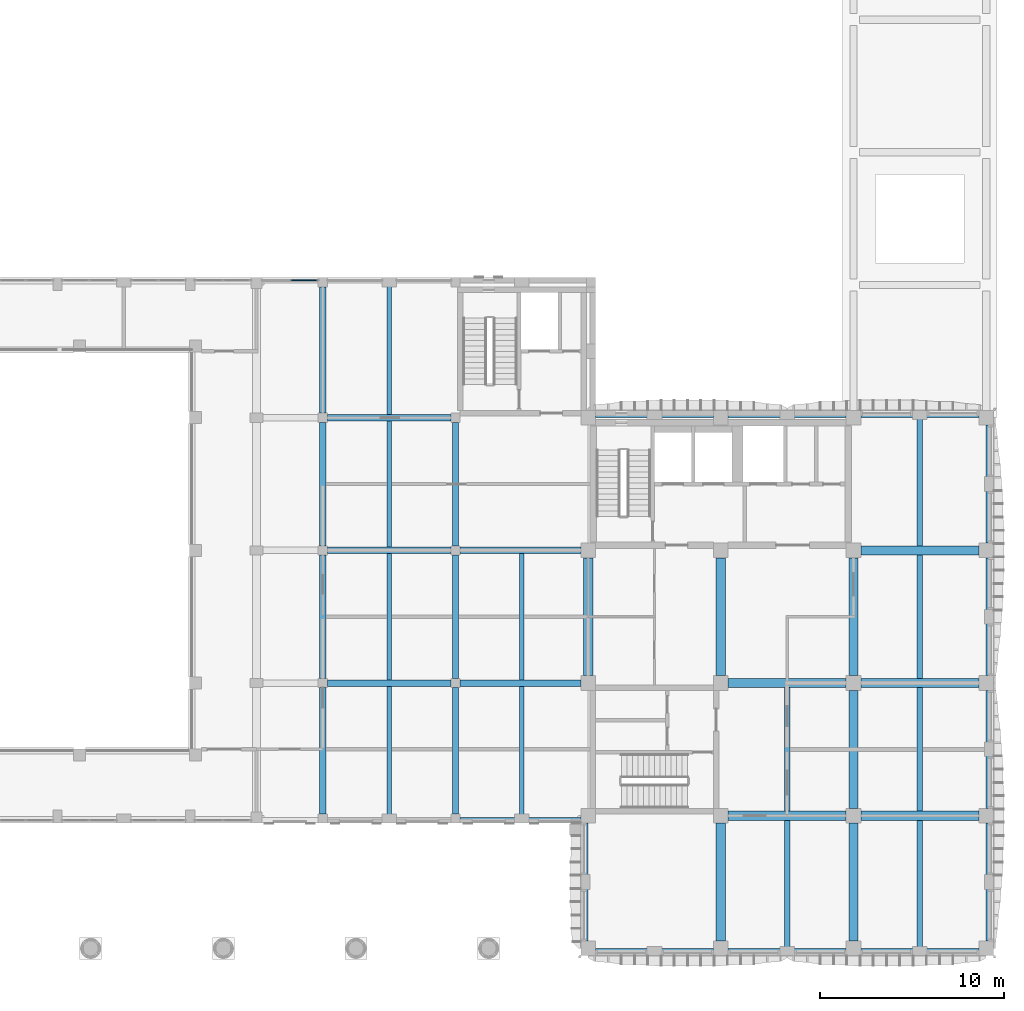
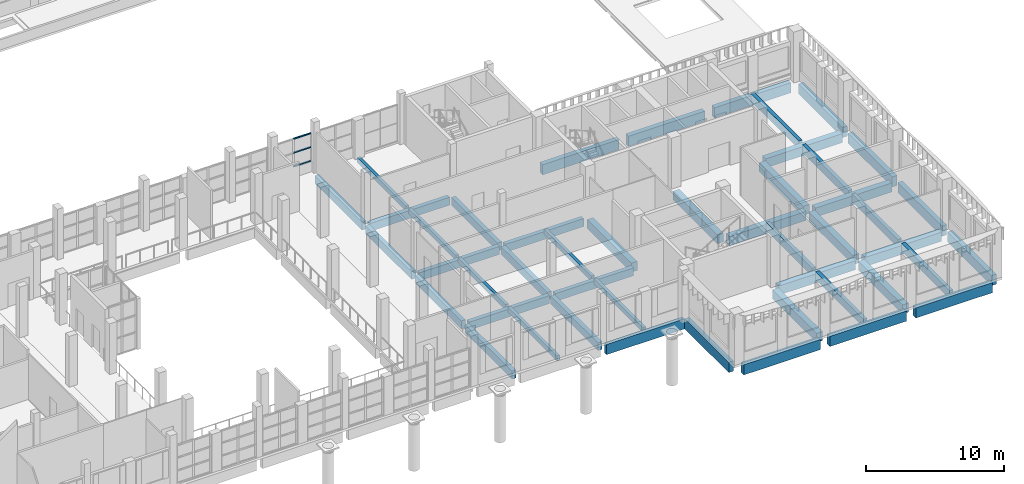
# One storey, part 10 of 59: 47 beams, 3 members, 1 element without a shape of its own.
"""IFC4 building model written with IfcOpenShell, lengths in metres."""

from ifc_helpers import new_model, si_unit, direction, frame, origin, origin_2d, place, context, subcontext, project, spatial, rectangle, extrude, material, layer, layer_set, material_profile, profile_set, type_object, element, aggregate, save


model = new_model("IFC4")

# Units and contexts
model_context = context("Model", 3, precision=1e-05, world=origin(), true_north=direction((0.0, 1.0)))
body_context = subcontext(model_context, "Body", "Model", "MODEL_VIEW")
ifc_project = project(units=[si_unit("LENGTHUNIT", "METRE"), si_unit("AREAUNIT", "SQUARE_METRE"), si_unit("VOLUMEUNIT", "CUBIC_METRE"), si_unit("PLANEANGLEUNIT", "RADIAN"), si_unit("MASSUNIT", "GRAM", prefix="KILO")], contexts=[model_context])

# Site, building, storey
site_placement = place(None, origin())
site = spatial("IfcSite", under=ifc_project, at=site_placement, CompositionType="ELEMENT")
building_placement = place(site_placement, origin())
building = spatial("IfcBuilding", under=site, at=building_placement, Name="Ussher Court Research Institute", CompositionType="ELEMENT")
storey_placement = place(building_placement, frame((0.0, 0.0, 5.39990234375)))
storey = spatial("IfcBuildingStorey", under=building, at=storey_placement, Name="L01", CompositionType="ELEMENT", Elevation=5.39990234375)

# Beams
ifc_material_1 = material(Name="Concrete C35/45", Category="concrete")
ifc_material_profile_1 = material_profile(ifc_material_1, rectangle(XDim=0.25, YDim=0.449951171875, at=origin_2d()), Name="RC 250x450")
ifc_profile_set_1 = profile_set([ifc_material_profile_1], Name="Concrete C35/45")
beam_type_1 = type_object("IfcBeamType", Name="RC 250x450 beam", PredefinedType="BEAM", material=ifc_profile_set_1)
beam_1_placement = place(storey_placement, frame((71.39990234375, 11.10009765625, -0.224853515625), z_axis=(0.0, 1.0, 0.0), x_axis=(-1.0, 0.0, 0.0)))
element("IfcBeam", 1, at=beam_1_placement, inside=storey, type_object=beam_type_1, Name="B1 V7 L01-03", PredefinedType="BEAM", context=body_context, shape_type="SweptSolid", body=[
    extrude(rectangle(XDim=0.25, YDim=0.449951171875, at=origin_2d()), origin(), (0.0, 0.0, 1.0), 7.125),
])
for number, where, z_axis, x_axis, name in (
    (2, (71.39990234375, 18.574951171875, -0.224853515625), (0.0, 1.0, 0.0), (-1.0, 0.0, 0.0), "B1 V7 L01-04"),
    (3, (71.39990234375, 25.77490234375, -0.224853515625), (0.0, 1.0, 0.0), (-1.0, 0.0, 0.0), "B1 V7 L01-05"),
):
    element("IfcBeam", number, at=place(storey_placement, frame(where, z_axis=z_axis, x_axis=x_axis)), inside=storey, type_object=beam_type_1, Name=name, PredefinedType="BEAM", context=body_context, shape_type="SweptSolid", body=[
        extrude(rectangle(XDim=0.25, YDim=0.449951171875, at=origin_2d()), origin(), (0.0, 0.0, 1.0), 6.85009765625),
    ])
for number, where, z_axis, x_axis, name in (
    (4, (71.39990234375, 32.97509765625, -0.224853515625), (0.0, 1.0, 0.0), (-1.0, 0.0, 0.0), "B1 V7 L01-06"),
    (5, (78.60009765625, 11.10009765625, -0.224853515625), (0.0, 1.0, 0.0), (-1.0, 0.0, 0.0), "B1 V7 L01-07"),
):
    element("IfcBeam", number, at=place(storey_placement, frame(where, z_axis=z_axis, x_axis=x_axis)), inside=storey, type_object=beam_type_1, Name=name, PredefinedType="BEAM", context=body_context, shape_type="SweptSolid", body=[
        extrude(rectangle(XDim=0.25, YDim=0.449951171875, at=origin_2d()), origin(), (0.0, 0.0, 1.0), 7.125),
    ])
beam_2_placement = place(storey_placement, frame((78.60009765625, 18.574951171875, -0.224853515625), z_axis=(0.0, 1.0, 0.0), x_axis=(-1.0, 0.0, 0.0)))
element("IfcBeam", 6, at=beam_2_placement, inside=storey, type_object=beam_type_1, Name="B1 V7 L01-08", PredefinedType="BEAM", context=body_context, shape_type="SweptSolid", body=[
    extrude(rectangle(XDim=0.25, YDim=0.449951171875, at=origin_2d()), origin(), (0.0, 0.0, 1.0), 6.85009765625),
])
ifc_material_2 = material(Name="Concrete C35/45", Category="concrete")
ifc_material_profile_2 = material_profile(ifc_material_2, rectangle(XDim=0.300048828125, YDim=0.699951171875, at=origin_2d()), Name="RC 300x700")
ifc_profile_set_2 = profile_set([ifc_material_profile_2], Name="Concrete C35/45")
beam_type_2 = type_object("IfcBeamType", Name="RC 300x700 beam", PredefinedType="BEAM", material=ifc_profile_set_2)
beam_3_placement = place(storey_placement, frame((93.0, 4.0, -0.349853515625), z_axis=(0.0, 1.0, 0.0), x_axis=(-1.0, 0.0, 0.0)))
element("IfcBeam", 7, at=beam_3_placement, inside=storey, type_object=beam_type_2, Name="B5 V4 L01-01", PredefinedType="BEAM", context=body_context, shape_type="SweptSolid", body=[
    extrude(rectangle(XDim=0.300048828125, YDim=0.699951171875, at=origin_2d()), origin(), (0.0, 0.0, 1.0), 6.949951171875),
])
beam_4_placement = place(storey_placement, frame((93.0, 11.449951171875, -0.349853515625), z_axis=(0.0, 1.0, 0.0), x_axis=(-1.0, 0.0, 0.0)))
element("IfcBeam", 8, at=beam_4_placement, inside=storey, type_object=beam_type_2, Name="B5 V4 L01-02", PredefinedType="BEAM", context=body_context, shape_type="SweptSolid", body=[
    extrude(rectangle(XDim=0.300048828125, YDim=0.699951171875, at=origin_2d()), origin(), (0.0, 0.0, 1.0), 6.699951171875),
])
beam_5_placement = place(storey_placement, frame((100.199951171875, 4.0, -0.349853515625), z_axis=(0.0, 1.0, 0.0), x_axis=(-1.0, 0.0, 0.0)))
element("IfcBeam", 9, at=beam_5_placement, inside=storey, type_object=beam_type_2, Name="B5 V4 L01-03", PredefinedType="BEAM", context=body_context, shape_type="SweptSolid", body=[
    extrude(rectangle(XDim=0.300048828125, YDim=0.699951171875, at=origin_2d()), origin(), (0.0, 0.0, 1.0), 6.949951171875),
])
beam_6_placement = place(storey_placement, frame((100.199951171875, 11.449951171875, -0.349853515625), z_axis=(0.0, 1.0, 0.0), x_axis=(-1.0, 0.0, 0.0)))
element("IfcBeam", 10, at=beam_6_placement, inside=storey, type_object=beam_type_2, Name="B5 V4 L01-04", PredefinedType="BEAM", context=body_context, shape_type="SweptSolid", body=[
    extrude(rectangle(XDim=0.300048828125, YDim=0.699951171875, at=origin_2d()), origin(), (0.0, 0.0, 1.0), 6.699951171875),
])
beam_7_placement = place(storey_placement, frame((100.199951171875, 18.64990234375, -0.349853515625), z_axis=(0.0, 1.0, 0.0), x_axis=(-1.0, 0.0, 0.0)))
element("IfcBeam", 11, at=beam_7_placement, inside=storey, type_object=beam_type_2, Name="B5 V4 L01-05", PredefinedType="BEAM", context=body_context, shape_type="SweptSolid", body=[
    extrude(rectangle(XDim=0.300048828125, YDim=0.699951171875, at=origin_2d()), origin(), (0.0, 0.0, 1.0), 6.7001953125),
])
beam_8_placement = place(storey_placement, frame((100.199951171875, 25.85009765625, -0.349853515625), z_axis=(0.0, 1.0, 0.0), x_axis=(-1.0, 0.0, 0.0)))
element("IfcBeam", 12, at=beam_8_placement, inside=storey, type_object=beam_type_2, Name="B5 V4 L01-06", PredefinedType="BEAM", context=body_context, shape_type="SweptSolid", body=[
    extrude(rectangle(XDim=0.300048828125, YDim=0.699951171875, at=origin_2d()), origin(), (0.0, 0.0, 1.0), 6.949951171875),
])
ifc_material_3 = material(Name="Concrete C35/45", Category="concrete")
ifc_material_profile_3 = material_profile(ifc_material_3, rectangle(XDim=0.300048828125, YDim=0.89990234375, at=origin_2d()), Name="RC 300x900")
ifc_profile_set_3 = profile_set([ifc_material_profile_3], Name="Concrete C35/45")
beam_type_3 = type_object("IfcBeamType", Name="RC 300x900 beam", PredefinedType="BEAM", material=ifc_profile_set_3)
beam_9_placement = place(storey_placement, frame((75.25, 10.949951171875, -0.64990234375), z_axis=(1.0, 0.0, 0.0), x_axis=(0.0, 1.0, 0.0)))
element("IfcBeam", 13, at=beam_9_placement, inside=storey, type_object=beam_type_3, Name="SB2 V7 L01-05", PredefinedType="BEAM", context=body_context, shape_type="SweptSolid", body=[
    extrude(rectangle(XDim=0.300048828125, YDim=0.89990234375, at=origin_2d()), origin(), (0.0, 0.0, 1.0), 6.550048828125),
])
ifc_material_4 = material(Name="Concrete C35/45", Category="concrete")
ifc_material_profile_4 = material_profile(ifc_material_4, rectangle(XDim=0.35009765625, YDim=0.699951171875, at=origin_2d()), Name="RC 350x700")
ifc_profile_set_4 = profile_set([ifc_material_profile_4], Name="Concrete C35/45")
beam_type_4 = type_object("IfcBeamType", Name="RC 350x700 beam", PredefinedType="BEAM", material=ifc_profile_set_4)
beam_10_placement = place(storey_placement, frame((68.050048828125, 18.39990234375, -0.5498046875), z_axis=(1.0, 0.0, 0.0), x_axis=(0.0, 1.0, 0.0)))
element("IfcBeam", 14, at=beam_10_placement, inside=storey, type_object=beam_type_4, Name="B16 V7 L01-04", PredefinedType="BEAM", context=body_context, shape_type="SweptSolid", body=[
    extrude(rectangle(XDim=0.35009765625, YDim=0.699951171875, at=origin_2d()), origin(), (0.0, 0.0, 1.0), 6.699951171875),
])
beam_11_placement = place(storey_placement, frame((75.25, 18.39990234375, -0.5498046875), z_axis=(1.0, 0.0, 0.0), x_axis=(0.0, 1.0, 0.0)))
element("IfcBeam", 15, at=beam_11_placement, inside=storey, type_object=beam_type_4, Name="B16 V7 L01-05", PredefinedType="BEAM", context=body_context, shape_type="SweptSolid", body=[
    extrude(rectangle(XDim=0.35009765625, YDim=0.699951171875, at=origin_2d()), origin(), (0.0, 0.0, 1.0), 6.550048828125),
])
beam_12_placement = place(storey_placement, frame((68.050048828125, 25.60009765625, -0.5498046875), z_axis=(1.0, 0.0, 0.0), x_axis=(0.0, 1.0, 0.0)))
element("IfcBeam", 16, at=beam_12_placement, inside=storey, type_object=beam_type_4, Name="B16 V7 L01-09", PredefinedType="BEAM", context=body_context, shape_type="SweptSolid", body=[
    extrude(rectangle(XDim=0.35009765625, YDim=0.699951171875, at=origin_2d()), origin(), (0.0, 0.0, 1.0), 6.699951171875),
])
beam_13_placement = place(storey_placement, frame((75.25, 25.60009765625, -0.5498046875), z_axis=(1.0, 0.0, 0.0), x_axis=(0.0, 1.0, 0.0)))
element("IfcBeam", 17, at=beam_13_placement, inside=storey, type_object=beam_type_4, Name="B16 V7 L01-10", PredefinedType="BEAM", context=body_context, shape_type="SweptSolid", body=[
    extrude(rectangle(XDim=0.35009765625, YDim=0.699951171875, at=origin_2d()), origin(), (0.0, 0.0, 1.0), 6.550048828125),
])
beam_14_placement = place(storey_placement, frame((68.050048828125, 32.800048828125, -0.5498046875), z_axis=(1.0, 0.0, 0.0), x_axis=(0.0, 1.0, 0.0)))
element("IfcBeam", 18, at=beam_14_placement, inside=storey, type_object=beam_type_4, Name="B16 V7 L01-13", PredefinedType="BEAM", context=body_context, shape_type="SweptSolid", body=[
    extrude(rectangle(XDim=0.35009765625, YDim=0.699951171875, at=origin_2d()), origin(), (0.0, 0.0, 1.0), 6.699951171875),
])
beam_15_placement = place(storey_placement, frame((67.800048828125, 11.300048828125, -0.5498046875), z_axis=(0.0, 1.0, 0.0), x_axis=(-1.0, 0.0, 0.0)))
element("IfcBeam", 19, at=beam_15_placement, inside=storey, type_object=beam_type_4, Name="B16 V7 L01-18", PredefinedType="BEAM", context=body_context, shape_type="SweptSolid", body=[
    extrude(rectangle(XDim=0.35009765625, YDim=0.699951171875, at=origin_2d()), origin(), (0.0, 0.0, 1.0), 6.849853515625),
])
beam_16_placement = place(storey_placement, frame((67.800048828125, 18.64990234375, -0.5498046875), z_axis=(0.0, 1.0, 0.0), x_axis=(-1.0, 0.0, 0.0)))
element("IfcBeam", 20, at=beam_16_placement, inside=storey, type_object=beam_type_4, Name="B16 V7 L01-19", PredefinedType="BEAM", context=body_context, shape_type="SweptSolid", body=[
    extrude(rectangle(XDim=0.35009765625, YDim=0.699951171875, at=origin_2d()), origin(), (0.0, 0.0, 1.0), 6.7001953125),
])
beam_17_placement = place(storey_placement, frame((67.800048828125, 25.85009765625, -0.5498046875), z_axis=(0.0, 1.0, 0.0), x_axis=(-1.0, 0.0, 0.0)))
element("IfcBeam", 21, at=beam_17_placement, inside=storey, type_object=beam_type_4, Name="B16 V7 L01-20", PredefinedType="BEAM", context=body_context, shape_type="SweptSolid", body=[
    extrude(rectangle(XDim=0.35009765625, YDim=0.699951171875, at=origin_2d()), origin(), (0.0, 0.0, 1.0), 6.699951171875),
])
for number, where, z_axis, x_axis, name in (
    (22, (67.800048828125, 33.050048828125, -0.5498046875), (0.0, 1.0, 0.0), (-1.0, 0.0, 0.0), "B16 V7 L01-21"),
    (23, (75.0, 11.300048828125, -0.5498046875), (0.0, 1.0, 0.0), (-1.0, 0.0, 0.0), "B16 V7 L01-22"),
):
    element("IfcBeam", number, at=place(storey_placement, frame(where, z_axis=z_axis, x_axis=x_axis)), inside=storey, type_object=beam_type_4, Name=name, PredefinedType="BEAM", context=body_context, shape_type="SweptSolid", body=[
        extrude(rectangle(XDim=0.35009765625, YDim=0.699951171875, at=origin_2d()), origin(), (0.0, 0.0, 1.0), 6.849853515625),
    ])
beam_18_placement = place(storey_placement, frame((75.0, 18.64990234375, -0.5498046875), z_axis=(0.0, 1.0, 0.0), x_axis=(-1.0, 0.0, 0.0)))
element("IfcBeam", 24, at=beam_18_placement, inside=storey, type_object=beam_type_4, Name="B16 V7 L01-23", PredefinedType="BEAM", context=body_context, shape_type="SweptSolid", body=[
    extrude(rectangle(XDim=0.35009765625, YDim=0.699951171875, at=origin_2d()), origin(), (0.0, 0.0, 1.0), 6.7001953125),
])
beam_19_placement = place(storey_placement, frame((75.0, 25.85009765625, -0.5498046875), z_axis=(0.0, 1.0, 0.0), x_axis=(-1.0, 0.0, 0.0)))
element("IfcBeam", 25, at=beam_19_placement, inside=storey, type_object=beam_type_4, Name="B16 V7 L01-24", PredefinedType="BEAM", context=body_context, shape_type="SweptSolid", body=[
    extrude(rectangle(XDim=0.35009765625, YDim=0.699951171875, at=origin_2d()), origin(), (0.0, 0.0, 1.0), 6.699951171875),
])
ifc_material_5 = material(Name="Concrete C35/45", Category="concrete")
ifc_material_profile_5 = material_profile(ifc_material_5, rectangle(XDim=0.39990234375, YDim=0.89990234375, at=origin_2d()), Name="RC 400x900")
ifc_profile_set_5 = profile_set([ifc_material_profile_5], Name="Concrete C35/45")
beam_type_5 = type_object("IfcBeamType", Name="RC 400x900 beam", PredefinedType="BEAM", material=ifc_profile_set_5)
for number, where, z_axis, x_axis, name in (
    (26, (82.60009765625, 3.800048828125, -0.64990234375), (1.0, 0.0, 0.0), (0.0, 1.0, 0.0), "B8 V4 L01-01"),
    (27, (89.800048828125, 3.800048828125, -0.64990234375), (1.0, 0.0, 0.0), (0.0, 1.0, 0.0), "B8 V4 L01-02"),
    (28, (97.0, 3.800048828125, -0.64990234375), (1.0, 0.0, 0.0), (0.0, 1.0, 0.0), "B8 V4 L01-03"),
    (29, (82.60009765625, 33.0, -0.64990234375), (1.0, 0.0, 0.0), (0.0, 1.0, 0.0), "B8 V4 L01-04"),
    (30, (89.800048828125, 33.0, -0.64990234375), (1.0, 0.0, 0.0), (0.0, 1.0, 0.0), "B8 V4 L01-05"),
    (31, (97.0, 33.0, -0.64990234375), (1.0, 0.0, 0.0), (0.0, 1.0, 0.0), "B8 V4 L01-06"),
):
    element("IfcBeam", number, at=place(storey_placement, frame(where, z_axis=z_axis, x_axis=x_axis)), inside=storey, type_object=beam_type_5, Name=name, PredefinedType="BEAM", context=body_context, shape_type="SweptSolid", body=[
        extrude(rectangle(XDim=0.39990234375, YDim=0.89990234375, at=origin_2d()), origin(), (0.0, 0.0, 1.0), 6.39990234375),
    ])
for number, where, z_axis, x_axis, name in (
    (32, (82.0, 4.39990234375, -0.64990234375), (0.0, 1.0, 0.0), (-1.0, 0.0, 0.0), "B8 V4 L01-07"),
    (33, (104.0, 4.39990234375, -0.64990234375), (0.0, 1.0, 0.0), (-1.0, 0.0, 0.0), "B8 V4 L01-08"),
):
    element("IfcBeam", number, at=place(storey_placement, frame(where, z_axis=z_axis, x_axis=x_axis)), inside=storey, type_object=beam_type_5, Name=name, PredefinedType="BEAM", context=body_context, shape_type="SweptSolid", body=[
        extrude(rectangle(XDim=0.39990234375, YDim=0.89990234375, at=origin_2d()), origin(), (0.0, 0.0, 1.0), 6.400146484375),
    ])
for number, where, z_axis, x_axis, name in (
    (34, (104.0, 11.60009765625, -0.64990234375), (0.0, 1.0, 0.0), (-1.0, 0.0, 0.0), "B8 V4 L01-09"),
    (35, (104.0, 18.800048828125, -0.64990234375), (0.0, 1.0, 0.0), (-1.0, 0.0, 0.0), "B8 V4 L01-10"),
    (36, (104.0, 26.0, -0.64990234375), (0.0, 1.0, 0.0), (-1.0, 0.0, 0.0), "B8 V4 L01-11"),
):
    element("IfcBeam", number, at=place(storey_placement, frame(where, z_axis=z_axis, x_axis=x_axis)), inside=storey, type_object=beam_type_5, Name=name, PredefinedType="BEAM", context=body_context, shape_type="SweptSolid", body=[
        extrude(rectangle(XDim=0.39990234375, YDim=0.89990234375, at=origin_2d()), origin(), (0.0, 0.0, 1.0), 6.39990234375),
    ])
ifc_material_6 = material(Name="Concrete C35/45", Category="concrete")
ifc_material_profile_6 = material_profile(ifc_material_6, rectangle(XDim=0.5, YDim=0.800048828125, at=origin_2d()), Name="RC 500x800")
ifc_profile_set_6 = profile_set([ifc_material_profile_6], Name="Concrete C35/45")
beam_type_6 = type_object("IfcBeamType", Name="RC 500x800 beam", PredefinedType="BEAM", material=ifc_profile_set_6)
for number, where, z_axis, x_axis, name in (
    (37, (89.800048828125, 11.199951171875, -0.599853515625), (1.0, 0.0, 0.0), (0.0, 1.0, 0.0), "B20 V4 L01-01"),
    (38, (97.0, 11.199951171875, -0.599853515625), (1.0, 0.0, 0.0), (0.0, 1.0, 0.0), "B20 V4 L01-02"),
    (39, (89.800048828125, 18.39990234375, -0.599853515625), (1.0, 0.0, 0.0), (0.0, 1.0, 0.0), "B20 V4 L01-03"),
    (40, (97.0, 18.39990234375, -0.599853515625), (1.0, 0.0, 0.0), (0.0, 1.0, 0.0), "B20 V4 L01-04"),
    (41, (97.0, 25.60009765625, -0.599853515625), (1.0, 0.0, 0.0), (0.0, 1.0, 0.0), "B20 V4 L01-05"),
    (42, (82.199951171875, 18.800048828125, -0.599853515625), (0.0, 1.0, 0.0), (-1.0, 0.0, 0.0), "B20 V4 L01-06"),
):
    element("IfcBeam", number, at=place(storey_placement, frame(where, z_axis=z_axis, x_axis=x_axis)), inside=storey, type_object=beam_type_6, Name=name, PredefinedType="BEAM", context=body_context, shape_type="SweptSolid", body=[
        extrude(rectangle(XDim=0.5, YDim=0.800048828125, at=origin_2d()), origin(), (0.0, 0.0, 1.0), 6.39990234375),
    ])
beam_20_placement = place(storey_placement, frame((89.39990234375, 4.39990234375, -0.599853515625), z_axis=(0.0, 1.0, 0.0), x_axis=(-1.0, 0.0, 0.0)))
element("IfcBeam", 43, at=beam_20_placement, inside=storey, type_object=beam_type_6, Name="B20 V4 L01-07", PredefinedType="BEAM", context=body_context, shape_type="SweptSolid", body=[
    extrude(rectangle(XDim=0.5, YDim=0.800048828125, at=origin_2d()), origin(), (0.0, 0.0, 1.0), 6.400146484375),
])
beam_21_placement = place(storey_placement, frame((89.39990234375, 18.800048828125, -0.599853515625), z_axis=(0.0, 1.0, 0.0), x_axis=(-1.0, 0.0, 0.0)))
element("IfcBeam", 44, at=beam_21_placement, inside=storey, type_object=beam_type_6, Name="B20 V4 L01-08", PredefinedType="BEAM", context=body_context, shape_type="SweptSolid", body=[
    extrude(rectangle(XDim=0.5, YDim=0.800048828125, at=origin_2d()), origin(), (0.0, 0.0, 1.0), 6.39990234375),
])
beam_22_placement = place(storey_placement, frame((96.60009765625, 4.39990234375, -0.599853515625), z_axis=(0.0, 1.0, 0.0), x_axis=(-1.0, 0.0, 0.0)))
element("IfcBeam", 45, at=beam_22_placement, inside=storey, type_object=beam_type_6, Name="B20 V4 L01-09", PredefinedType="BEAM", context=body_context, shape_type="SweptSolid", body=[
    extrude(rectangle(XDim=0.5, YDim=0.800048828125, at=origin_2d()), origin(), (0.0, 0.0, 1.0), 6.400146484375),
])
for number, where, z_axis, x_axis, name in (
    (46, (96.60009765625, 11.60009765625, -0.599853515625), (0.0, 1.0, 0.0), (-1.0, 0.0, 0.0), "B20 V4 L01-10"),
    (47, (96.60009765625, 18.800048828125, -0.599853515625), (0.0, 1.0, 0.0), (-1.0, 0.0, 0.0), "B20 V4 L01-11"),
):
    element("IfcBeam", number, at=place(storey_placement, frame(where, z_axis=z_axis, x_axis=x_axis)), inside=storey, type_object=beam_type_6, Name=name, PredefinedType="BEAM", context=body_context, shape_type="SweptSolid", body=[
        extrude(rectangle(XDim=0.5, YDim=0.800048828125, at=origin_2d()), origin(), (0.0, 0.0, 1.0), 6.39990234375),
    ])

# Curtain wall, members
ifc_material_7 = material(Name="Bronze anodised aluminium with insulated low-e glass", Category="aluminium")
ifc_layer = layer(ifc_material_7, 0.1201171875)
ifc_layer_set = layer_set([ifc_layer], Name="Bronze anodised aluminium with insulated low-e glass")
curtain_wall_type = type_object("IfcCurtainWallType", Name="Curtain wall reading link court front", PredefinedType="NOTDEFINED", material=ifc_layer_set)
curtain_wall_placement = place(storey_placement, origin())
curtain_wall = element("IfcCurtainWall", 48, at=curtain_wall_placement, inside=storey, type_object=curtain_wall_type, Name="Curtain wall CW7 L01", PredefinedType="NOTDEFINED")
ifc_material_8 = material(Name="Bronze anodised aluminium", Category="aluminium")
ifc_material_profile_7 = material_profile(ifc_material_8, rectangle(XDim=0.06005859375, YDim=0.1201171875, at=origin_2d()), Name="Transom 60x120")
ifc_profile_set_7 = profile_set([ifc_material_profile_7], Name="Bronze anodised aluminium")
member_type = type_object("IfcMemberType", Name="Transom 60x120", PredefinedType="USERDEFINED", material=ifc_profile_set_7)
member_1_placement = place(storey_placement, frame((66.054931640625, 40.25, 0.93017578125), z_axis=(1.0, 0.0, 0.0), x_axis=(0.0, 1.0, 0.0)))
member_1 = element("IfcMember", 49, at=member_1_placement, type_object=member_type, Name="CW7 transom 2.1", ObjectType="TRANSOM", PredefinedType="USERDEFINED", context=body_context, shape_type="SweptSolid", body=[
    extrude(rectangle(XDim=0.06005859375, YDim=0.1201171875, at=origin_2d()), origin(), (0.0, 0.0, 1.0), 1.43505859375),
])
member_2_placement = place(storey_placement, frame((66.054931640625, 40.25, 2.150146484375), z_axis=(1.0, 0.0, 0.0), x_axis=(0.0, 1.0, 0.0)))
member_2 = element("IfcMember", 50, at=member_2_placement, type_object=member_type, Name="CW7 transom 2.2", ObjectType="TRANSOM", PredefinedType="USERDEFINED", context=body_context, shape_type="SweptSolid", body=[
    extrude(rectangle(XDim=0.06005859375, YDim=0.1201171875, at=origin_2d()), origin(), (0.0, 0.0, 1.0), 1.43505859375),
])
member_3_placement = place(storey_placement, frame((66.054931640625, 40.25, 3.3701171875), z_axis=(1.0, 0.0, 0.0), x_axis=(0.0, 1.0, 0.0)))
member_3 = element("IfcMember", 51, at=member_3_placement, type_object=member_type, Name="CW7 transom 2.3", ObjectType="TRANSOM", PredefinedType="USERDEFINED", context=body_context, shape_type="SweptSolid", body=[
    extrude(rectangle(XDim=0.06005859375, YDim=0.1201171875, at=origin_2d()), origin(), (0.0, 0.0, 1.0), 1.43505859375),
])
aggregate(curtain_wall, [member_1, member_2, member_3])

save(model, "model.ifc")
